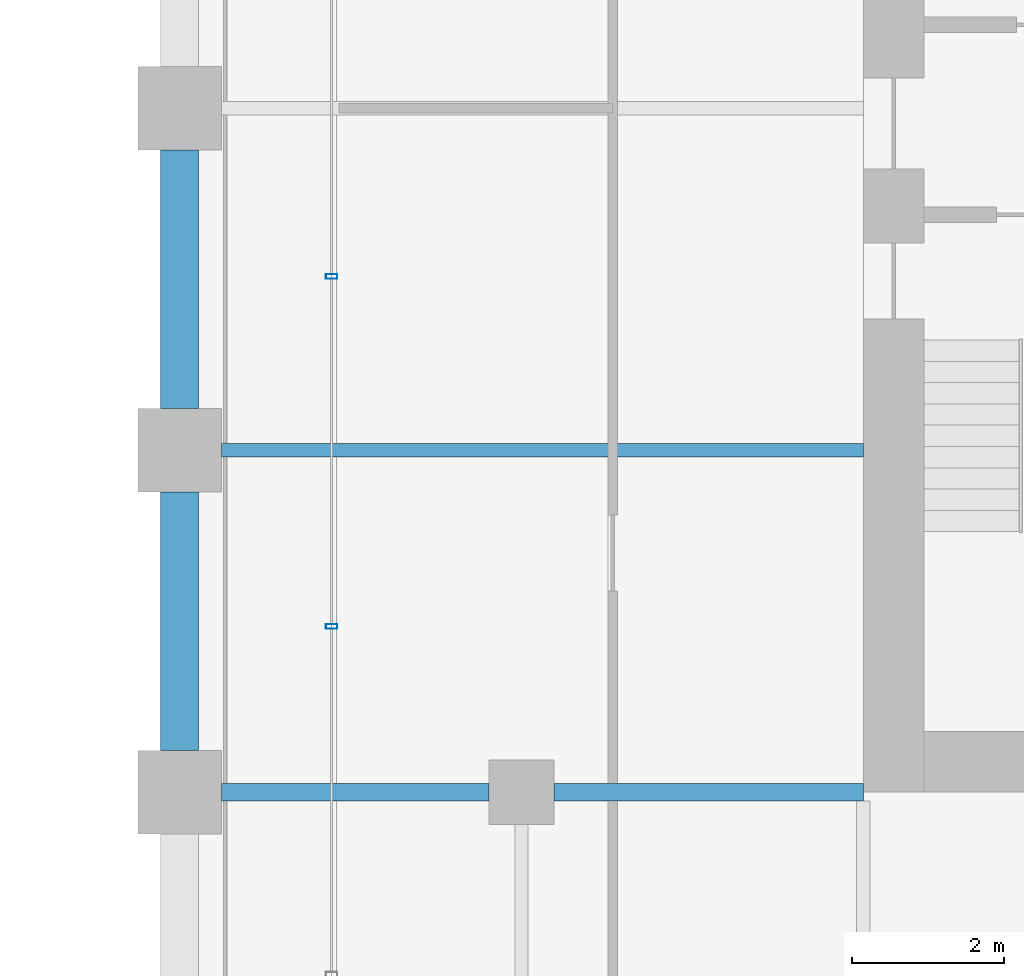
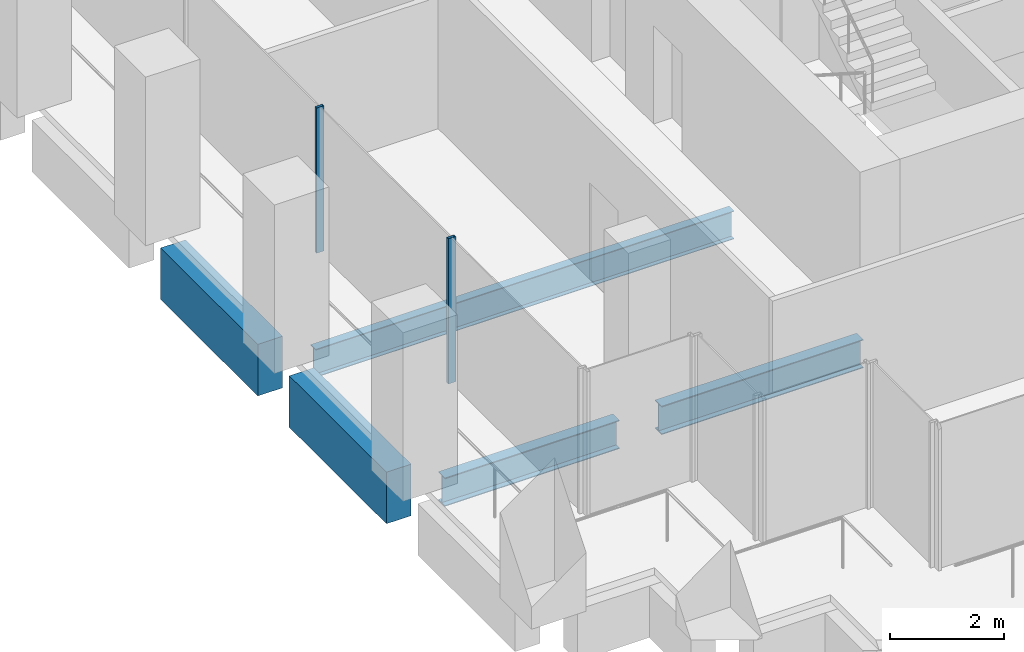
# One storey, part 36 of 54: 5 beams, 2 members, 1 element without a shape of its own.
"""IFC4 building model written with IfcOpenShell, lengths in metres."""

import ifcopenshell
import ifcopenshell.guid

model = None  # the IFC model being written
_history = None  # IfcOwnerHistory: only IFC2X3 demands one
_inside = {}  # id of a spatial element -> (the spatial element, [elements in it])
_under = {}  # id of a project, library or spatial element -> (it, [spatial elements below it])
_declared = {}  # id of a project -> (the project, [libraries it declares])
_typed = {}  # id of a type object -> (the type object, [elements of that type])
_made_of = {}  # id of a material, layer set ... -> (it, [elements and type objects made of it])


def new_model(schema):
    """Start an empty IFC model of exactly this schema.

    Asked for "IFC4X3", IfcOpenShell would pick the latest addendum, in which some entities
    have other attributes; the version numbers below select the first issue.
    IFC2X3 requires an IfcOwnerHistory on every rooted entity: one is made here for all.
    """
    global model, _history
    if schema == "IFC4X3":
        model = ifcopenshell.file(schema_version=(4, 3, 0, 0))
    else:
        model = ifcopenshell.file(schema=schema)
    _inside.clear()
    _under.clear()
    _declared.clear()
    _typed.clear()
    _made_of.clear()
    _history = None
    if model.schema == "IFC2X3":
        org = make("IfcOrganization", Name="unknown")
        user = make(
            "IfcPersonAndOrganization",
            ThePerson=make("IfcPerson", FamilyName="unknown"),
            TheOrganization=org,
        )
        app = make(
            "IfcApplication",
            ApplicationDeveloper=org,
            Version="unknown",
            ApplicationFullName="unknown",
            ApplicationIdentifier="unknown",
        )
        _history = make(
            "IfcOwnerHistory",
            OwningUser=user,
            OwningApplication=app,
            ChangeAction="ADDED",
            CreationDate=0,
        )
    return model


def make(cls, **values):
    """One entity of the class cls with the attributes given. An attribute that is None is left unset."""
    return model.create_entity(
        cls, **{name: value for name, value in values.items() if value is not None}
    )


def rooted(cls, **values):
    """An entity with a GlobalId (a new one), such as an element, a storey or a relation."""
    return make(cls, GlobalId=ifcopenshell.guid.new(), OwnerHistory=_history, **values)


def si_unit(unit_type, name, prefix=None):
    """IfcSIUnit, for example si_unit("LENGTHUNIT", "METRE", prefix="MILLI")."""
    return make("IfcSIUnit", UnitType=unit_type, Prefix=prefix, Name=name)


def assignment(units):
    """IfcUnitAssignment: the units of a project."""
    return None if units is None else make("IfcUnitAssignment", Units=units)


def point(xyz):
    """IfcCartesianPoint."""
    return None if xyz is None else make("IfcCartesianPoint", Coordinates=xyz)


def direction(xyz):
    """IfcDirection."""
    return None if xyz is None else make("IfcDirection", DirectionRatios=xyz)


def frame(location, z_axis=None, x_axis=None):
    """IfcAxis2Placement3D, a coordinate frame: its origin and axes. An axis left out is left unset."""
    return make(
        "IfcAxis2Placement3D",
        Location=point(location),
        Axis=direction(z_axis),
        RefDirection=direction(x_axis),
    )


def frame_2d(location, x_axis=None):
    """IfcAxis2Placement2D, a coordinate frame in the plane: its origin and x axis."""
    return make(
        "IfcAxis2Placement2D", Location=point(location), RefDirection=direction(x_axis)
    )


def origin():
    """The frame at (0, 0, 0) with its axes left unset."""
    return frame((0.0, 0.0, 0.0))


def origin_2d():
    """The frame at (0, 0) in the plane with its x axis left unset."""
    return frame_2d((0.0, 0.0))


def place(relative_to, where):
    """IfcLocalPlacement: puts the frame where relative to a parent placement (None: the world)."""
    return make(
        "IfcLocalPlacement", PlacementRelTo=relative_to, RelativePlacement=where
    )


def context(
    kind, dimensions, precision=None, world=None, true_north=None, identifier=None
):
    """IfcGeometricRepresentationContext, for example the 3D "Model" context."""
    return make(
        "IfcGeometricRepresentationContext",
        ContextIdentifier=identifier,
        ContextType=kind,
        CoordinateSpaceDimension=dimensions,
        Precision=precision,
        WorldCoordinateSystem=world,
        TrueNorth=true_north,
    )


def subcontext(parent, identifier, kind, view, scale=None):
    """IfcGeometricRepresentationSubContext, for example "Body" below "Model"."""
    return make(
        "IfcGeometricRepresentationSubContext",
        ContextIdentifier=identifier,
        ContextType=kind,
        ParentContext=parent,
        TargetScale=scale,
        TargetView=view,
    )


def project(units=None, contexts=None):
    """IfcProject with its units and contexts."""
    return rooted(
        "IfcProject",
        Name="project",
        RepresentationContexts=contexts,
        UnitsInContext=assignment(units),
    )


def spatial(cls, under=None, at=None, **own):
    """A site, building, storey or space (cls), placed at a placement, below another one or the project."""
    s = rooted(cls, ObjectPlacement=at, **own)
    if under is not None:
        _under.setdefault(under.id(), (under, []))[1].append(s)
    return s


def profile(cls, at=None, kind="AREA", **sizes):
    """A parametric profile (cls). Its sizes go by their IFC names, for example OverallWidth=200.0."""
    return make(cls, ProfileType=kind, Position=at, **sizes)


def rectangle(**sizes):
    """IfcRectangleProfileDef."""
    return profile("IfcRectangleProfileDef", **sizes)


def hollow_rectangle(**sizes):
    """IfcRectangleHollowProfileDef."""
    return profile("IfcRectangleHollowProfileDef", **sizes)


def i_section(**sizes):
    """IfcIShapeProfileDef."""
    return profile("IfcIShapeProfileDef", **sizes)


def extrude(swept, where, along, depth):
    """IfcExtrudedAreaSolid: the profile swept, set in the frame where, extruded along a direction by depth."""
    return make(
        "IfcExtrudedAreaSolid",
        SweptArea=swept,
        Position=where,
        ExtrudedDirection=direction(along),
        Depth=depth,
    )


def shape(context_of_items, identifier, shape_type, items):
    """IfcShapeRepresentation: the items that make up one representation, for example the "Body"."""
    return make(
        "IfcShapeRepresentation",
        ContextOfItems=context_of_items,
        RepresentationIdentifier=identifier,
        RepresentationType=shape_type,
        Items=items,
    )


def material(Name=None, Category=None):
    """IfcMaterial."""
    return make("IfcMaterial", Name=Name, Category=Category)


def material_profile(
    of_material, cross_section, Name=None, Category=None, Priority=None
):
    """IfcMaterialProfile: a cross section and its material."""
    return make(
        "IfcMaterialProfile",
        Name=Name,
        Material=of_material,
        Profile=cross_section,
        Priority=Priority,
        Category=Category,
    )


def profile_set(profiles, Name=None, composite=None):
    """IfcMaterialProfileSet."""
    return make(
        "IfcMaterialProfileSet",
        Name=Name,
        MaterialProfiles=profiles,
        CompositeProfile=composite,
    )


def made_of(thing, what):
    """Note that an element or type object is made of a material, layer set ...; save() writes the relation."""
    if what is not None:
        _made_of.setdefault(what.id(), (what, []))[1].append(thing)
    return thing


def type_object(cls, material=None, **own):
    """A type object (cls), such as IfcWallType, which elements share."""
    return made_of(rooted(cls, **own), material)


def element(
    cls,
    number,
    at=None,
    inside=None,
    cuts=None,
    type_object=None,
    material=None,
    context=None,
    identifier="Body",
    shape_type=None,
    held_by="IfcProductDefinitionShape",
    body=None,
    shapes=None,
    **own,
):
    """One element of the class cls, such as IfcWall. Its Tag is "e" and its number.

    at: its placement. inside: the storey or other place that contains it. cuts: it is an
    opening in that element (IfcRelVoidsElement). A single representation is given by context,
    identifier, shape_type and body (its items); several are given by shapes. held_by: the class
    of the entity that holds the representations. save() writes the other relations.
    """
    e = rooted(cls, Tag="e%d" % number, ObjectPlacement=at, **own)
    if body is not None:
        shapes = [shape(context, identifier, shape_type, body)]
    if shapes is not None:
        e.Representation = make(held_by, Representations=shapes)
    if inside is not None:
        _inside.setdefault(inside.id(), (inside, []))[1].append(e)
    if cuts is not None:
        rooted(
            "IfcRelVoidsElement", RelatingBuildingElement=cuts, RelatedOpeningElement=e
        )
    if type_object is not None:
        _typed.setdefault(type_object.id(), (type_object, []))[1].append(e)
    return made_of(e, material)


def aggregate(whole, parts):
    """IfcRelAggregates: a whole, such as a stair, and the parts it consists of."""
    return rooted("IfcRelAggregates", RelatingObject=whole, RelatedObjects=parts)


def save(model, path):
    """Write the relations noted so far, then the file.

    IfcRelAggregates (storeys below a building ...), IfcRelContainedInSpatialStructure (elements
    in a storey), IfcRelDefinesByType, IfcRelAssociatesMaterial and IfcRelDeclares: one each for
    every whole, place, type object, material and project.
    """
    for whole, parts in _under.values():
        aggregate(whole, parts)
    for where, things in _inside.values():
        rooted(
            "IfcRelContainedInSpatialStructure",
            RelatedElements=things,
            RelatingStructure=where,
        )
    for kind, things in _typed.values():
        rooted("IfcRelDefinesByType", RelatedObjects=things, RelatingType=kind)
    for what, things in _made_of.values():
        rooted("IfcRelAssociatesMaterial", RelatedObjects=things, RelatingMaterial=what)
    for by, libraries in _declared.values():
        rooted("IfcRelDeclares", RelatingContext=by, RelatedDefinitions=libraries)
    model.write(path)


model = new_model("IFC4")

# Units and contexts
model_context = context("Model", 3, precision=1e-05, world=origin(), true_north=direction((0.0, 1.0)))
body_context = subcontext(model_context, "Body", "Model", "MODEL_VIEW")
ifc_project = project(units=[si_unit("LENGTHUNIT", "METRE"), si_unit("AREAUNIT", "SQUARE_METRE"), si_unit("VOLUMEUNIT", "CUBIC_METRE"), si_unit("PLANEANGLEUNIT", "RADIAN"), si_unit("MASSUNIT", "GRAM", prefix="KILO")], contexts=[model_context])

# Site, building, storey
site_placement = place(None, origin())
site = spatial("IfcSite", under=ifc_project, at=site_placement, CompositionType="ELEMENT")
building_placement = place(site_placement, origin())
building = spatial("IfcBuilding", under=site, at=building_placement, Name="Altepetl Exchange Towers", CompositionType="ELEMENT")
storey_placement = place(building_placement, frame((0.0, 0.0, 58.199951171875)))
storey = spatial("IfcBuildingStorey", under=building, at=storey_placement, Name="L13", CompositionType="ELEMENT", Elevation=58.199951171875)

# Beams
ifc_material_1 = material(Name="Steel S355", Category="steel")
ifc_material_profile_1 = material_profile(ifc_material_1, i_section(OverallWidth=0.177978515625, OverallDepth=0.59912109375, WebThickness=0.010009765625, FlangeThickness=0.0126953125, at=origin_2d()), Name="W24X55")
ifc_profile_set_1 = profile_set([ifc_material_profile_1], Name="Steel S355")
beam_type_1 = type_object("IfcBeamType", Name="Floor beam W24X55", PredefinedType="BEAM", material=ifc_profile_set_1)
beam_1_placement = place(storey_placement, frame((95.050048828125, 40.5, -0.449462890625), z_axis=(1.0, 0.0, 0.0), x_axis=(0.0, 1.0, 0.0)))
element("IfcBeam", 1, at=beam_1_placement, inside=storey, type_object=beam_type_1, Name="bm:B:L13:012", PredefinedType="BEAM", context=body_context, shape_type="SweptSolid", body=[
    extrude(i_section(OverallWidth=0.177978515625, OverallDepth=0.59912109375, WebThickness=0.010009765625, FlangeThickness=0.0126953125, at=origin_2d()), origin(), (0.0, 0.0, 1.0), 8.449951171875),
])
ifc_material_profile_2 = material_profile(ifc_material_1, i_section(OverallWidth=0.22802734375, OverallDepth=0.60791015625, WebThickness=0.01123046875, FlangeThickness=0.017333984375, at=origin_2d()), Name="W24X76")
ifc_profile_set_2 = profile_set([ifc_material_profile_2], Name="Steel S355")
beam_type_2 = type_object("IfcBeamType", Name="Girder W24X76", PredefinedType="BEAM", material=ifc_profile_set_2)
beam_2_placement = place(storey_placement, frame((103.5, 36.0, -0.453857421875), z_axis=(-1.0, 0.0, 0.0), x_axis=(0.0, -1.0, 0.0)))
element("IfcBeam", 2, at=beam_2_placement, inside=storey, type_object=beam_type_2, Name="gd:B:L13:006", PredefinedType="BEAM", context=body_context, shape_type="SweptSolid", body=[
    extrude(i_section(OverallWidth=0.22802734375, OverallDepth=0.60791015625, WebThickness=0.01123046875, FlangeThickness=0.017333984375, at=origin_2d()), origin(), (0.0, 0.0, 1.0), 4.074951171875),
])
beam_3_placement = place(storey_placement, frame((98.574951171875, 36.0, -0.453857421875), z_axis=(-1.0, 0.0, 0.0), x_axis=(0.0, -1.0, 0.0)))
element("IfcBeam", 3, at=beam_3_placement, inside=storey, type_object=beam_type_2, Name="gd:B:L13:007", PredefinedType="BEAM", context=body_context, shape_type="SweptSolid", body=[
    extrude(i_section(OverallWidth=0.22802734375, OverallDepth=0.60791015625, WebThickness=0.01123046875, FlangeThickness=0.017333984375, at=origin_2d()), origin(), (0.0, 0.0, 1.0), 3.52490234375),
])

# Curtain wall, members
ifc_material_2 = material(Name="Aluminium 6063-T6 glazing", Category="aluminium")
curtain_wall_type = type_object("IfcCurtainWallType", Name="Loggia glazing system", PredefinedType="NOTDEFINED", material=ifc_material_2)
curtain_wall_placement = place(storey_placement, origin())
curtain_wall = element("IfcCurtainWall", 4, at=curtain_wall_placement, inside=storey, type_object=curtain_wall_type, Name="CW1 run", PredefinedType="NOTDEFINED")
ifc_material_3 = material(Name="Aluminium 6063-T6", Category="aluminium")
ifc_material_profile_3 = material_profile(ifc_material_3, hollow_rectangle(XDim=0.06005859375, YDim=0.14990234375, WallThickness=0.0029296875, at=origin_2d()), Name="Mullion 60x150 aluminium")
ifc_profile_set_3 = profile_set([ifc_material_profile_3], Name="Aluminium 6063-T6")
member_type = type_object("IfcMemberType", Name="Mullion 60x150 aluminium", PredefinedType="MULLION", material=ifc_profile_set_3)
member_1_placement = place(storey_placement, frame((96.5, 42.78759765625, 0.0), z_axis=(0.0, 0.0, 1.0), x_axis=(0.0, -1.0, 0.0)))
member_1 = element("IfcMember", 5, at=member_1_placement, type_object=member_type, Name="MU1 mullion", PredefinedType="MULLION", context=body_context, shape_type="SweptSolid", body=[
    extrude(hollow_rectangle(XDim=0.06005859375, YDim=0.14990234375, WallThickness=0.0029296875, at=origin_2d()), origin(), (0.0, 0.0, 1.0), 3.10009765625),
])
member_2_placement = place(storey_placement, frame((96.5, 38.18115234375, 0.0), z_axis=(0.0, 0.0, 1.0), x_axis=(0.0, -1.0, 0.0)))
member_2 = element("IfcMember", 6, at=member_2_placement, type_object=member_type, Name="MU1 mullion", PredefinedType="MULLION", context=body_context, shape_type="SweptSolid", body=[
    extrude(hollow_rectangle(XDim=0.06005859375, YDim=0.14990234375, WallThickness=0.0029296875, at=origin_2d()), origin(), (0.0, 0.0, 1.0), 3.10009765625),
])
aggregate(curtain_wall, [member_1, member_2])

# Beams
ifc_material_4 = material(Name="Concrete C50/60 precast with cantera rosa facing", Category="concrete")
ifc_material_profile_4 = material_profile(ifc_material_4, rectangle(XDim=0.5, YDim=1.10009765625, at=origin_2d()), Name="500 x 1100")
ifc_profile_set_4 = profile_set([ifc_material_profile_4], Name="Concrete C50/60 precast with cantera rosa facing")
beam_type_3 = type_object("IfcBeamType", Name="Spandrel beam 500x1100 cantera rosa", PredefinedType="SPANDREL", material=ifc_profile_set_4)
for number, where, z_axis, x_axis, name in (
    (7, (94.5, 44.449951171875, -0.699951171875), (0.0, -1.0, 0.0), (1.0, 0.0, 0.0), "sp:B:L13:029"),
    (8, (94.5, 39.949951171875, -0.699951171875), (0.0, -1.0, 0.0), (1.0, 0.0, 0.0), "sp:B:L13:030"),
):
    element("IfcBeam", number, at=place(storey_placement, frame(where, z_axis=z_axis, x_axis=x_axis)), inside=storey, type_object=beam_type_3, Name=name, PredefinedType="SPANDREL", context=body_context, shape_type="SweptSolid", body=[
        extrude(rectangle(XDim=0.5, YDim=1.10009765625, at=origin_2d()), origin(), (0.0, 0.0, 1.0), 3.39990234375),
    ])

save(model, "model.ifc")
